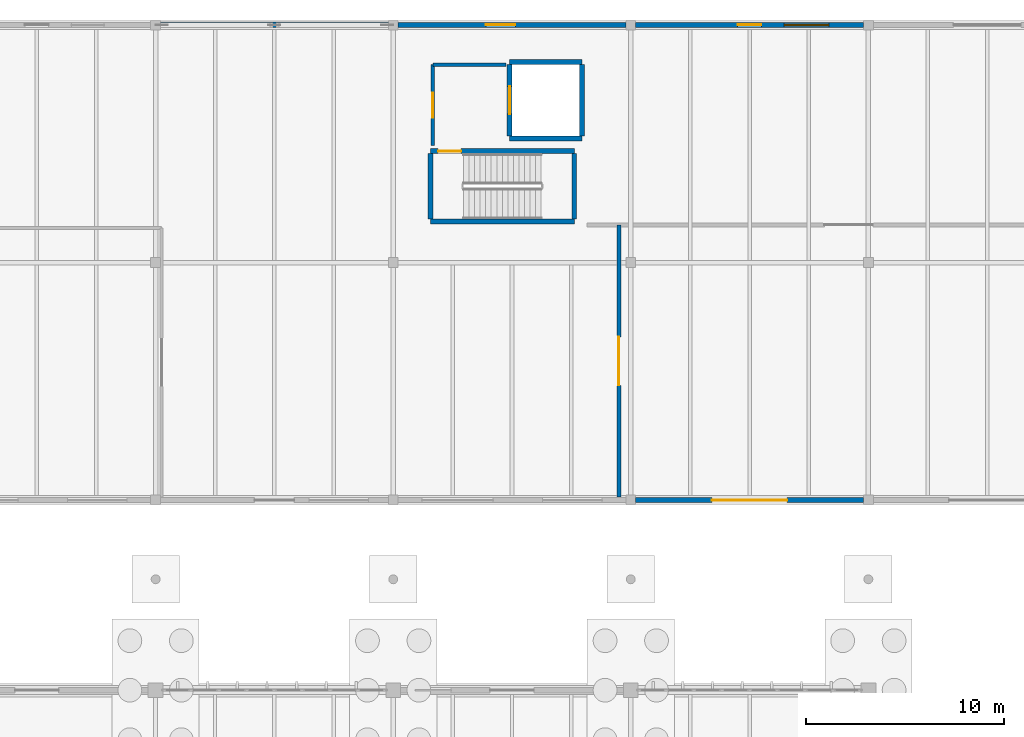
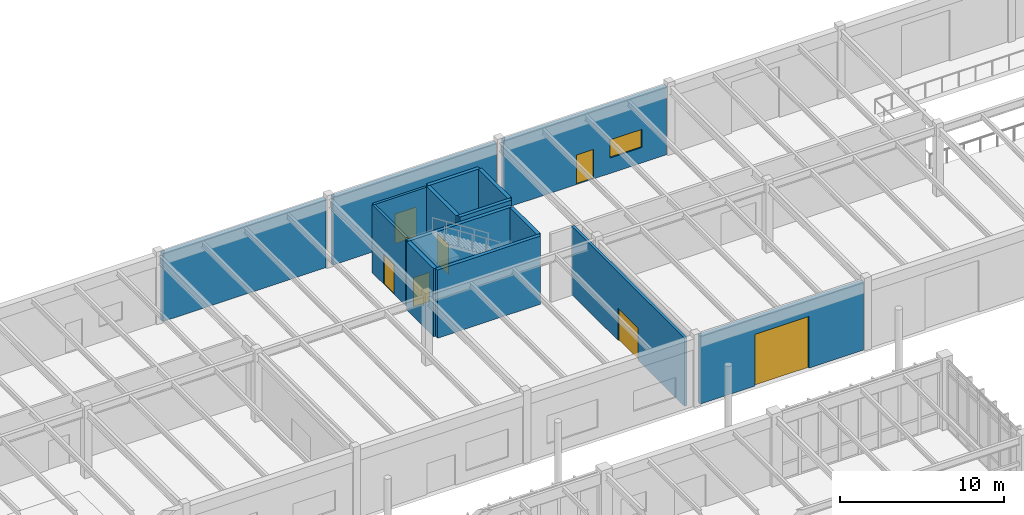
# One storey, part 166 of 188: 15 walls, 7 doors, 1 window, 8 openings.
"""IFC4 building model written with IfcOpenShell, lengths in metres."""

from ifc_helpers import new_model, si_unit, direction, frame, frame_2d, origin, place, context, subcontext, project, spatial, rectangle, extrude, material, layer, layer_set, type_object, element, fill, save


model = new_model("IFC4")

# Units and contexts
model_context = context("Model", 3, precision=1e-05, world=origin(), true_north=direction((0.0, 1.0)))
body_context = subcontext(model_context, "Body", "Model", "MODEL_VIEW")
ifc_project = project(units=[si_unit("LENGTHUNIT", "METRE"), si_unit("AREAUNIT", "SQUARE_METRE"), si_unit("VOLUMEUNIT", "CUBIC_METRE"), si_unit("PLANEANGLEUNIT", "RADIAN"), si_unit("MASSUNIT", "GRAM", prefix="KILO")], contexts=[model_context])

# Site, building, storey
site_placement = place(None, origin())
site = spatial("IfcSite", under=ifc_project, at=site_placement, CompositionType="ELEMENT")
building_placement = place(site_placement, origin())
building = spatial("IfcBuilding", under=site, at=building_placement, Name="Pandanus Reach Market Hall", CompositionType="ELEMENT")
storey_placement = place(building_placement, origin())
storey = spatial("IfcBuildingStorey", under=building, at=storey_placement, Name="L00", CompositionType="ELEMENT", Elevation=0.0)

# Wall
ifc_material_1 = material(Name="Concrete N40 (40 MPa)", Category="concrete")
ifc_layer_1 = layer(ifc_material_1, 0.25, Name="WL-CORE-250")
ifc_layer_set_1 = layer_set([ifc_layer_1], Name="Concrete N40 (40 MPa)")
wall_type_1 = type_object("IfcWallType", Name="WL-CORE-250", PredefinedType="SHEAR", material=ifc_layer_set_1)
wall_1_placement = place(storey_placement, frame((109.875, 110.074951171875, 0.0), z_axis=(0.0, 0.0, 1.0), x_axis=(1.0, 0.0, 0.0)))
element("IfcWall", 1, at=wall_1_placement, inside=storey, type_object=wall_type_1, Name="Internal wall WL-CORE-250 WL-0400", PredefinedType="SHEAR", context=body_context, shape_type="SweptSolid", body=[
    extrude(rectangle(XDim=7.27001953125, YDim=0.25, at=frame_2d((3.635009765625, 0.0))), origin(), (0.0, 0.0, 1.0), 5.080078125),
])

# Wall, opening, door
wall_2_placement = place(storey_placement, frame((109.875, 113.625, 0.0), z_axis=(0.0, 0.0, 1.0), x_axis=(1.0, 0.0, 0.0)))
wall_2 = element("IfcWall", 2, at=wall_2_placement, inside=storey, type_object=wall_type_1, Name="Internal wall WL-CORE-250 WL-0401", PredefinedType="SHEAR", context=body_context, shape_type="SweptSolid", body=[
    extrude(rectangle(XDim=7.27001953125, YDim=0.25, at=frame_2d((3.635009765625, 0.0))), origin(), (0.0, 0.0, 1.0), 5.080078125),
])
opening_1_placement = place(wall_2_placement, frame((0.39990234375, 0.0, 0.0)))
opening_1 = element("IfcOpeningElement", 3, at=opening_1_placement, cuts=wall_2, Name="Opening DR-FD1", PredefinedType="OPENING", context=body_context, shape_type="SweptSolid", body=[
    extrude(rectangle(XDim=1.14990234375, YDim=2.14990234375, at=frame_2d((0.574951171875, 1.074951171875))), frame((0.0, 0.139892578125, 0.0), z_axis=(0.0, -1.0, 0.0), x_axis=(1.0, 0.0, 0.0)), (0.0, 0.0, 1.0), 0.280029296875),
])
ifc_material_2 = material(Name="Fire-rated steel door", Category="steel")
door_type_1 = type_object("IfcDoorType", Name="DR-FD1", OperationType="NOTDEFINED", PredefinedType="DOOR", material=ifc_material_2)
door_1_placement = place(opening_1_placement, origin())
door_1 = element("IfcDoor", 4, at=door_1_placement, inside=storey, type_object=door_type_1, Name="Fire stair door ST-06 L00", OperationType="SINGLE_SWING_LEFT", OverallHeight=2.14990234375, OverallWidth=1.14990234375, PredefinedType="DOOR", context=body_context, shape_type="SweptSolid", body=[
    extrude(rectangle(XDim=1.14990234375, YDim=2.14990234375, at=frame_2d((0.574951171875, 1.074951171875))), frame((0.0, 0.02490234375, 0.0), z_axis=(0.0, -1.0, 0.0), x_axis=(1.0, 0.0, 0.0)), (0.0, 0.0, 1.0), 0.050048828125),
])
fill(opening_1, door_1)

# Walls
for number, where, z_axis, x_axis, name in (
    (5, (109.875, 110.199951171875, 0.0), (0.0, 0.0, 1.0), (0.0, 1.0, 0.0), "Internal wall WL-CORE-250 WL-0402"),
    (6, (117.14501953125, 110.199951171875, 0.0), (0.0, 0.0, 1.0), (0.0, 1.0, 0.0), "Internal wall WL-CORE-250 WL-0403"),
):
    element("IfcWall", number, at=place(storey_placement, frame(where, z_axis=z_axis, x_axis=x_axis)), inside=storey, type_object=wall_type_1, Name=name, PredefinedType="SHEAR", context=body_context, shape_type="SweptSolid", body=[
        extrude(rectangle(XDim=3.300048828125, YDim=0.25, at=frame_2d((1.64990234375, 0.0))), origin(), (0.0, 0.0, 1.0), 5.080078125),
    ])
for number, where, z_axis, x_axis, name in (
    (7, (113.875, 114.27490234375, 0.0), (0.0, 0.0, 1.0), (1.0, 0.0, 0.0), "Internal wall WL-CORE-250 WL-0404"),
    (8, (113.875, 118.125, 0.0), (0.0, 0.0, 1.0), (1.0, 0.0, 0.0), "Internal wall WL-CORE-250 WL-0405"),
):
    element("IfcWall", number, at=place(storey_placement, frame(where, z_axis=z_axis, x_axis=x_axis)), inside=storey, type_object=wall_type_1, Name=name, PredefinedType="SHEAR", context=body_context, shape_type="SweptSolid", body=[
        extrude(rectangle(XDim=3.64990234375, YDim=0.25, at=frame_2d((1.824951171875, 0.0))), origin(), (0.0, 0.0, 1.0), 5.080078125),
    ])
wall_3_placement = place(storey_placement, frame((117.52490234375, 114.39990234375, 0.0), z_axis=(0.0, 0.0, 1.0), x_axis=(0.0, 1.0, 0.0)))
element("IfcWall", 9, at=wall_3_placement, inside=storey, type_object=wall_type_1, Name="Internal wall WL-CORE-250 WL-0406", PredefinedType="SHEAR", context=body_context, shape_type="SweptSolid", body=[
    extrude(rectangle(XDim=3.60009765625, YDim=0.25, at=frame_2d((1.800048828125, 0.0))), origin(), (0.0, 0.0, 1.0), 5.080078125),
])

# Wall, opening, door
wall_4_placement = place(storey_placement, frame((113.875, 114.39990234375, 0.0), z_axis=(0.0, 0.0, 1.0), x_axis=(0.0, 1.0, 0.0)))
wall_4 = element("IfcWall", 10, at=wall_4_placement, inside=storey, type_object=wall_type_1, Name="Internal wall WL-CORE-250 WL-0407", PredefinedType="SHEAR", context=body_context, shape_type="SweptSolid", body=[
    extrude(rectangle(XDim=3.60009765625, YDim=0.25, at=frame_2d((1.800048828125, 0.0))), origin(), (0.0, 0.0, 1.0), 5.080078125),
])
opening_2_placement = place(wall_4_placement, frame((1.10009765625, 0.0, 0.0)))
opening_2 = element("IfcOpeningElement", 11, at=opening_2_placement, cuts=wall_4, Name="Opening LD-02", PredefinedType="OPENING", context=body_context, shape_type="SweptSolid", body=[
    extrude(rectangle(XDim=1.39990234375, YDim=2.199951171875, at=frame_2d((0.699951171875, 1.10009765625))), frame((0.0, 0.139892578125, 0.0), z_axis=(0.0, -1.0, 0.0), x_axis=(1.0, 0.0, 0.0)), (0.0, 0.0, 1.0), 0.280029296875),
])
ifc_material_3 = material(Name="Heavy goods lift landing door")
door_type_2 = type_object("IfcDoorType", Name="LD-02", OperationType="SLIDING_TO_RIGHT", PredefinedType="DOOR", material=ifc_material_3)
door_2_placement = place(opening_2_placement, origin())
door_2 = element("IfcDoor", 12, at=door_2_placement, inside=storey, type_object=door_type_2, Name="Lift landing door LF-06 LD-02 78", OperationType="SLIDING_TO_RIGHT", OverallHeight=2.199951171875, OverallWidth=1.39990234375, PredefinedType="DOOR", context=body_context, shape_type="SweptSolid", body=[
    extrude(rectangle(XDim=1.39990234375, YDim=2.199951171875, at=frame_2d((0.699951171875, 1.10009765625))), frame((0.0, 0.02490234375, 0.0), z_axis=(0.0, -1.0, 0.0), x_axis=(1.0, 0.0, 0.0)), (0.0, 0.0, 1.0), 0.050048828125),
])
fill(opening_2, door_2)

ifc_material_4 = material(Name="Precast concrete S50 (50 MPa)", Category="concrete")
ifc_layer_2 = layer(ifc_material_4, 0.260009765625, Name="WL-EXT-260")
ifc_layer_set_2 = layer_set([ifc_layer_2], Name="Precast concrete S50 (50 MPa)")
wall_type_2 = type_object("IfcWallType", Name="WL-EXT-260", PredefinedType="SOLIDWALL", material=ifc_layer_set_2)
wall_5_placement = place(storey_placement, frame((108.25, 120.0, 0.0), z_axis=(0.0, 0.0, 1.0), x_axis=(1.0, 0.0, 0.0)))
wall_5 = element("IfcWall", 13, at=wall_5_placement, inside=storey, type_object=wall_type_2, Name="External wall WL-EXT-260 WL-0129", PredefinedType="SOLIDWALL", context=body_context, shape_type="SweptSolid", body=[
    extrude(rectangle(XDim=11.5, YDim=0.260009765625, at=frame_2d((5.75, 0.0))), origin(), (0.0, 0.0, 1.0), 5.080078125),
])
opening_3_placement = place(wall_5_placement, frame((4.425048828125, 0.0, 0.0)))
opening_3 = element("IfcOpeningElement", 14, at=opening_3_placement, cuts=wall_5, Name="Opening ED-150", PredefinedType="OPENING", context=body_context, shape_type="SweptSolid", body=[
    extrude(rectangle(XDim=1.5, YDim=2.199951171875, at=frame_2d((0.75, 1.10009765625))), frame((0.0, 0.14501953125, 0.0), z_axis=(0.0, -1.0, 0.0), x_axis=(1.0, 0.0, 0.0)), (0.0, 0.0, 1.0), 0.2900390625),
])
ifc_material_5 = material(Name="Bronze anodised aluminium", Category="aluminium")
door_type_3 = type_object("IfcDoorType", Name="ED-150", OperationType="NOTDEFINED", PredefinedType="DOOR", material=ifc_material_5)
door_3_placement = place(opening_3_placement, origin())
door_3 = element("IfcDoor", 15, at=door_3_placement, inside=storey, type_object=door_type_3, Name="Stair ST-06 north exit ED-150 44", OperationType="SINGLE_SWING_LEFT", OverallHeight=2.199951171875, OverallWidth=1.5, PredefinedType="DOOR", context=body_context, shape_type="SweptSolid", body=[
    extrude(rectangle(XDim=1.5, YDim=2.199951171875, at=frame_2d((0.75, 1.10009765625))), frame((0.0, 0.02490234375, 0.0), z_axis=(0.0, -1.0, 0.0), x_axis=(1.0, 0.0, 0.0)), (0.0, 0.0, 1.0), 0.050048828125),
])
fill(opening_3, door_3)

wall_6_placement = place(storey_placement, frame((120.25, 96.0, 0.0), z_axis=(0.0, 0.0, 1.0), x_axis=(1.0, 0.0, 0.0)))
wall_6 = element("IfcWall", 16, at=wall_6_placement, inside=storey, type_object=wall_type_2, Name="External wall WL-EXT-260 WL-0130", PredefinedType="SOLIDWALL", context=body_context, shape_type="SweptSolid", body=[
    extrude(rectangle(XDim=11.5, YDim=0.260009765625, at=frame_2d((5.75, 0.0))), origin(), (0.0, 0.0, 1.0), 5.080078125),
])
opening_4_placement = place(wall_6_placement, frame((3.85009765625, 0.0, 0.0)))
opening_4 = element("IfcOpeningElement", 17, at=opening_4_placement, cuts=wall_6, Name="Opening LDK-38", PredefinedType="OPENING", context=body_context, shape_type="SweptSolid", body=[
    extrude(rectangle(XDim=3.800048828125, YDim=3.85009765625, at=frame_2d((1.89990234375, 1.925048828125))), frame((0.0, 0.14501953125, 0.0), z_axis=(0.0, -1.0, 0.0), x_axis=(1.0, 0.0, 0.0)), (0.0, 0.0, 1.0), 0.2900390625),
])
ifc_material_6 = material(Name="Insulated galvanised steel dock shutter", Category="steel")
door_type_4 = type_object("IfcDoorType", Name="LDK-38", OperationType="ROLLINGUP", PredefinedType="GATE", material=ifc_material_6)
door_4_placement = place(opening_4_placement, frame((3.800048828125, 0.0, 0.0), z_axis=(0.0, 0.0, 1.0), x_axis=(-1.0, 0.0, 0.0)))
door_4 = element("IfcDoor", 18, at=door_4_placement, inside=storey, type_object=door_type_4, Name="HRV loading dock roller shutter LDK-38 45", OperationType="ROLLINGUP", OverallHeight=3.85009765625, OverallWidth=3.800048828125, PredefinedType="GATE", context=body_context, shape_type="SweptSolid", body=[
    extrude(rectangle(XDim=3.800048828125, YDim=3.85009765625, at=frame_2d((1.89990234375, 1.925048828125))), frame((0.0, 0.02490234375, 0.0), z_axis=(0.0, -1.0, 0.0), x_axis=(1.0, 0.0, 0.0)), (0.0, 0.0, 1.0), 0.050048828125),
])
fill(opening_4, door_4)

# Wall, openings, door, window
wall_7_placement = place(storey_placement, frame((120.25, 120.0, 0.0), z_axis=(0.0, 0.0, 1.0), x_axis=(1.0, 0.0, 0.0)))
wall_7 = element("IfcWall", 19, at=wall_7_placement, inside=storey, type_object=wall_type_2, Name="External wall WL-EXT-260 WL-0131", PredefinedType="SOLIDWALL", context=body_context, shape_type="SweptSolid", body=[
    extrude(rectangle(XDim=11.5, YDim=0.260009765625, at=frame_2d((5.75, 0.0))), origin(), (0.0, 0.0, 1.0), 5.080078125),
])
opening_5_placement = place(wall_7_placement, frame((5.14990234375, 0.0, 0.0)))
opening_5 = element("IfcOpeningElement", 20, at=opening_5_placement, cuts=wall_7, Name="Opening ED-120", PredefinedType="OPENING", context=body_context, shape_type="SweptSolid", body=[
    extrude(rectangle(XDim=1.199951171875, YDim=2.199951171875, at=frame_2d((0.60009765625, 1.10009765625))), frame((0.0, 0.14501953125, 0.0), z_axis=(0.0, -1.0, 0.0), x_axis=(1.0, 0.0, 0.0)), (0.0, 0.0, 1.0), 0.2900390625),
])
opening_6_placement = place(wall_7_placement, frame((7.5, 0.0, 1.14990234375)))
opening_6 = element("IfcOpeningElement", 21, at=opening_6_placement, cuts=wall_7, Name="Opening WN-37", PredefinedType="OPENING", context=body_context, shape_type="SweptSolid", body=[
    extrude(rectangle(XDim=2.25, YDim=1.35009765625, at=frame_2d((1.125, 0.675048828125))), frame((0.0, 0.14501953125, 0.0), z_axis=(0.0, -1.0, 0.0), x_axis=(1.0, 0.0, 0.0)), (0.0, 0.0, 1.0), 0.2900390625),
])
ifc_material_7 = material(Name="Galvanised steel Grade 350 (350 MPa)", Category="steel")
door_type_5 = type_object("IfcDoorType", Name="ED-120", OperationType="NOTDEFINED", PredefinedType="DOOR", material=ifc_material_7)
door_5_placement = place(opening_5_placement, origin())
door_5 = element("IfcDoor", 22, at=door_5_placement, inside=storey, type_object=door_type_5, Name="Cold-chain personnel exit door ED-120 46", OperationType="SINGLE_SWING_LEFT", OverallHeight=2.199951171875, OverallWidth=1.199951171875, PredefinedType="DOOR", context=body_context, shape_type="SweptSolid", body=[
    extrude(rectangle(XDim=1.199951171875, YDim=2.199951171875, at=frame_2d((0.60009765625, 1.10009765625))), frame((0.0, 0.02490234375, 0.0), z_axis=(0.0, -1.0, 0.0), x_axis=(1.0, 0.0, 0.0)), (0.0, 0.0, 1.0), 0.050048828125),
])
fill(opening_5, door_5)
ifc_material_8 = material(Name="Solar-control double glazing", Category="glass")
window_type = type_object("IfcWindowType", Name="WN-37", PartitioningType="SINGLE_PANEL", PredefinedType="WINDOW", material=ifc_material_8)
window_placement = place(opening_6_placement, origin())
window = element("IfcWindow", 23, at=window_placement, inside=storey, type_object=window_type, Name="Window WN-37 68", OverallHeight=1.35009765625, OverallWidth=2.25, PartitioningType="SINGLE_PANEL", PredefinedType="WINDOW", context=body_context, shape_type="SweptSolid", body=[
    extrude(rectangle(XDim=2.25, YDim=1.35009765625, at=frame_2d((1.125, 0.675048828125))), frame((0.0, 0.030029296875, 0.0), z_axis=(0.0, -1.0, 0.0), x_axis=(1.0, 0.0, 0.0)), (0.0, 0.0, 1.0), 0.06005859375),
])
fill(opening_6, window)

# Wall
ifc_layer_3 = layer(ifc_material_4, 0.280029296875, Name="WL-EXT-280")
ifc_layer_set_3 = layer_set([ifc_layer_3], Name="Precast concrete S50 (50 MPa)")
wall_type_3 = type_object("IfcWallType", Name="WL-EXT-280", PredefinedType="SOLIDWALL", material=ifc_layer_set_3)
wall_8_placement = place(storey_placement, frame((96.25, 120.0, 0.0), z_axis=(0.0, 0.0, 1.0), x_axis=(1.0, 0.0, 0.0)))
element("IfcWall", 24, at=wall_8_placement, inside=storey, type_object=wall_type_3, Name="External wall WL-EXT-280 WL-0126", PredefinedType="SOLIDWALL", context=body_context, shape_type="SweptSolid", body=[
    extrude(rectangle(XDim=11.5, YDim=0.280029296875, at=frame_2d((5.75, 0.0))), origin(), (0.0, 0.0, 1.0), 5.080078125),
])

# Wall, opening, door
ifc_layer_4 = layer(ifc_material_1, 0.199951171875, Name="WL-FIRE-200")
ifc_layer_set_4 = layer_set([ifc_layer_4], Name="Concrete N40 (40 MPa)")
wall_type_4 = type_object("IfcWallType", Name="WL-FIRE-200", PredefinedType="SOLIDWALL", material=ifc_layer_set_4)
wall_9_placement = place(storey_placement, frame((119.39990234375, 96.14990234375, 0.0), z_axis=(0.0, 0.0, 1.0), x_axis=(0.0, 1.0, 0.0)))
wall_9 = element("IfcWall", 25, at=wall_9_placement, inside=storey, type_object=wall_type_4, Name="Internal wall WL-FIRE-200 WL-0508", PredefinedType="SOLIDWALL", context=body_context, shape_type="SweptSolid", body=[
    extrude(rectangle(XDim=13.75, YDim=0.199951171875, at=frame_2d((6.875, 0.0))), origin(), (0.0, 0.0, 1.0), 5.080078125),
])
opening_7_placement = place(wall_9_placement, frame((5.64990234375, 0.0, 0.0)))
opening_7 = element("IfcOpeningElement", 26, at=opening_7_placement, cuts=wall_9, Name="Opening DR-FD7", PredefinedType="OPENING", context=body_context, shape_type="SweptSolid", body=[
    extrude(rectangle(XDim=2.449951171875, YDim=2.39990234375, at=frame_2d((1.22509765625, 1.199951171875))), frame((0.0, 0.114990234375, 0.0), z_axis=(0.0, -1.0, 0.0), x_axis=(1.0, 0.0, 0.0)), (0.0, 0.0, 1.0), 0.22998046875),
])
ifc_material_9 = material(Name="Fire-rated loading dock marshalling door")
door_type_6 = type_object("IfcDoorType", Name="DR-FD7", OperationType="DOUBLE_DOOR_SINGLE_SWING", PredefinedType="DOOR", material=ifc_material_9)
door_6_placement = place(opening_7_placement, origin())
door_6 = element("IfcDoor", 27, at=door_6_placement, inside=storey, type_object=door_type_6, Name="Loading dock airlock fire door DR-FD7 128", OperationType="DOUBLE_DOOR_SINGLE_SWING", OverallHeight=2.39990234375, OverallWidth=2.449951171875, PredefinedType="DOOR", context=body_context, shape_type="SweptSolid", body=[
    extrude(rectangle(XDim=2.449951171875, YDim=2.39990234375, at=frame_2d((1.22509765625, 1.199951171875))), frame((0.0, 0.02490234375, 0.0), z_axis=(0.0, -1.0, 0.0), x_axis=(1.0, 0.0, 0.0)), (0.0, 0.0, 1.0), 0.050048828125),
])
fill(opening_7, door_6)

ifc_layer_5 = layer(ifc_material_1, 0.175048828125, Name="WL-LOB-175")
ifc_layer_set_5 = layer_set([ifc_layer_5], Name="Concrete N40 (40 MPa)")
wall_type_5 = type_object("IfcWallType", Name="WL-LOB-175", PredefinedType="PARTITIONING", material=ifc_layer_set_5)
wall_10_placement = place(storey_placement, frame((110.0, 113.89990234375, 0.0), z_axis=(0.0, 0.0, 1.0), x_axis=(0.0, 1.0, 0.0)))
wall_10 = element("IfcWall", 28, at=wall_10_placement, inside=storey, type_object=wall_type_5, Name="Internal wall WL-LOB-175 WL-0408", PredefinedType="PARTITIONING", context=body_context, shape_type="SweptSolid", body=[
    extrude(rectangle(XDim=4.10009765625, YDim=0.175048828125, at=frame_2d((2.050048828125, 0.0))), origin(), (0.0, 0.0, 1.0), 5.080078125),
])
opening_8_placement = place(wall_10_placement, frame((1.425048828125, 0.0, 0.0)))
opening_8 = element("IfcOpeningElement", 29, at=opening_8_placement, cuts=wall_10, Name="Opening DR-FD2", PredefinedType="OPENING", context=body_context, shape_type="SweptSolid", body=[
    extrude(rectangle(XDim=1.25, YDim=2.199951171875, at=frame_2d((0.625, 1.10009765625))), frame((0.0, 0.1025390625, 0.0), z_axis=(0.0, -1.0, 0.0), x_axis=(1.0, 0.0, 0.0)), (0.0, 0.0, 1.0), 0.205078125),
])
door_type_7 = type_object("IfcDoorType", Name="DR-FD2", OperationType="NOTDEFINED", PredefinedType="DOOR", material=ifc_material_2)
door_7_placement = place(opening_8_placement, frame((1.25, 0.0, 0.0), z_axis=(0.0, 0.0, 1.0), x_axis=(-1.0, 0.0, 0.0)))
door_7 = element("IfcDoor", 30, at=door_7_placement, inside=storey, type_object=door_type_7, Name="Core C6 lobby fire door DR-FD2 79", OperationType="SINGLE_SWING_RIGHT", OverallHeight=2.199951171875, OverallWidth=1.25, PredefinedType="DOOR", context=body_context, shape_type="SweptSolid", body=[
    extrude(rectangle(XDim=1.25, YDim=2.199951171875, at=frame_2d((0.625, 1.10009765625))), frame((0.0, 0.02490234375, 0.0), z_axis=(0.0, -1.0, 0.0), x_axis=(1.0, 0.0, 0.0)), (0.0, 0.0, 1.0), 0.050048828125),
])
fill(opening_8, door_7)

# Wall
wall_11_placement = place(storey_placement, frame((110.0, 118.0, 0.0), z_axis=(0.0, 0.0, 1.0), x_axis=(1.0, 0.0, 0.0)))
element("IfcWall", 31, at=wall_11_placement, inside=storey, type_object=wall_type_5, Name="Internal wall WL-LOB-175 WL-0409", PredefinedType="PARTITIONING", context=body_context, shape_type="SweptSolid", body=[
    extrude(rectangle(XDim=3.699951171875, YDim=0.175048828125, at=frame_2d((1.85009765625, 0.0))), origin(), (0.0, 0.0, 1.0), 5.080078125),
])

save(model, "model.ifc")
